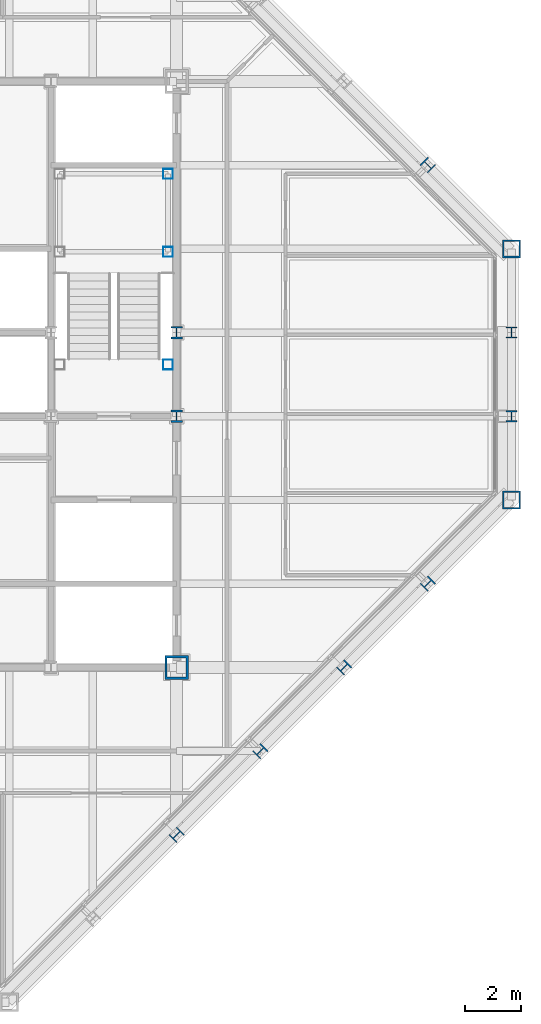
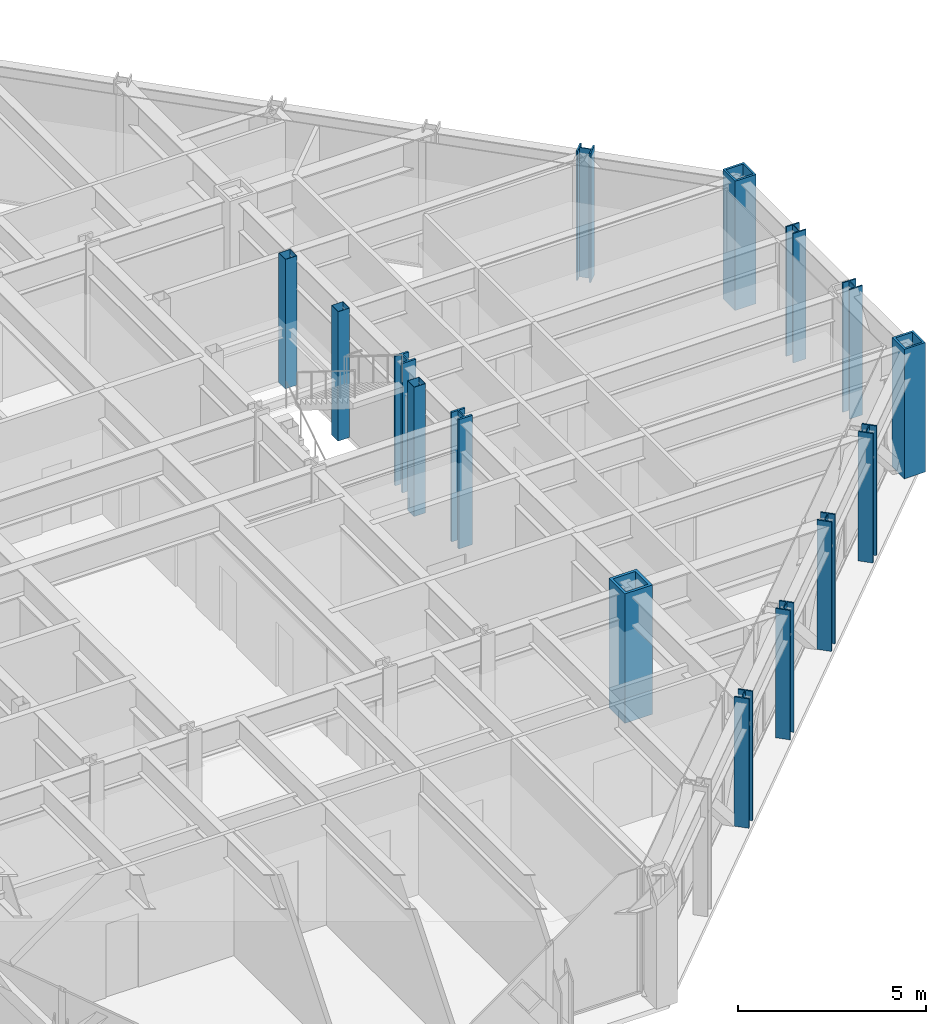
# One storey, part 3 of 15: 15 columns.
"""IFC4 building model written with IfcOpenShell, lengths in metres."""

from ifc_helpers import new_model, si_unit, direction, frame, origin, origin_2d, place, context, subcontext, project, spatial, hollow_rectangle, i_section, extrude, material, material_profile, profile_set, type_object, element, save


model = new_model("IFC4")

# Units and contexts
model_context = context("Model", 3, precision=1e-05, world=origin(), true_north=direction((0.0, 1.0)))
body_context = subcontext(model_context, "Body", "Model", "MODEL_VIEW")
ifc_project = project(units=[si_unit("LENGTHUNIT", "METRE"), si_unit("AREAUNIT", "SQUARE_METRE"), si_unit("VOLUMEUNIT", "CUBIC_METRE"), si_unit("PLANEANGLEUNIT", "RADIAN"), si_unit("MASSUNIT", "GRAM", prefix="KILO")], contexts=[model_context])

# Site, building, storey
site_placement = place(None, origin())
site = spatial("IfcSite", under=ifc_project, at=site_placement, CompositionType="ELEMENT")
building_placement = place(site_placement, origin())
building = spatial("IfcBuilding", under=site, at=building_placement, Name="Chuquiago Exchange Tower", CompositionType="ELEMENT")
storey_placement = place(building_placement, frame((0.0, 0.0, 295.800048828125)))
storey = spatial("IfcBuildingStorey", under=building, at=storey_placement, Name="L66", CompositionType="ELEMENT", Elevation=295.800048828125)

# Columns
ifc_material_1 = material(Name="Steel ASTM A992", Category="steel")
ifc_material_profile_1 = material_profile(ifc_material_1, i_section(OverallWidth=0.4013671875, OverallDepth=0.398681640625, WebThickness=0.02490234375, FlangeThickness=0.03955078125, at=origin_2d()), Name="W14X211")
ifc_profile_set_1 = profile_set([ifc_material_profile_1], Name="Steel ASTM A992")
column_type_1 = type_object("IfcColumnType", Name="C9 W14X211", PredefinedType="COLUMN", material=ifc_profile_set_1)
for number, where, z_axis, x_axis, name in (
    (1, (45.0, 21.0, 0.0), (0.0, 0.0, 1.0), (1.0, 0.0, 0.0), "COL-L66-45_21"),
    (2, (45.0, 24.0, 0.0), (0.0, 0.0, 1.0), (1.0, 0.0, 0.0), "COL-L66-45_24"),
):
    element("IfcColumn", number, at=place(storey_placement, frame(where, z_axis=z_axis, x_axis=x_axis)), inside=storey, type_object=column_type_1, Name=name, PredefinedType="COLUMN", context=body_context, shape_type="SweptSolid", body=[
        extrude(i_section(OverallWidth=0.4013671875, OverallDepth=0.398681640625, WebThickness=0.02490234375, FlangeThickness=0.03955078125, at=origin_2d()), origin(), (0.0, 0.0, 1.0), 4.199951171875),
    ])
ifc_material_2 = material(Name="Steel ASTM A572 Grade 50", Category="steel")
ifc_material_profile_2 = material_profile(ifc_material_2, hollow_rectangle(XDim=0.85009765625, YDim=0.85009765625, WallThickness=0.0849609375, at=origin_2d()), Name="BOX850X850X85")
ifc_profile_set_2 = profile_set([ifc_material_profile_2], Name="Steel ASTM A572 Grade 50")
column_type_2 = type_object("IfcColumnType", Name="CC6 BOX850X850X85", PredefinedType="COLUMN", material=ifc_profile_set_2)
column_placement = place(storey_placement, frame((33.0, 12.0, 0.0), z_axis=(0.0, 0.0, 1.0), x_axis=(1.0, 0.0, 0.0)))
element("IfcColumn", 3, at=column_placement, inside=storey, type_object=column_type_2, Name="CCOL-L66-33_12", PredefinedType="COLUMN", context=body_context, shape_type="SweptSolid", body=[
    extrude(hollow_rectangle(XDim=0.85009765625, YDim=0.85009765625, WallThickness=0.0849609375, at=origin_2d()), origin(), (0.0, 0.0, 1.0), 4.199951171875),
])
ifc_material_3 = material(Name="Steel ASTM A992", Category="steel")
ifc_material_profile_3 = material_profile(ifc_material_3, i_section(OverallWidth=0.41650390625, OverallDepth=0.444580078125, WebThickness=0.0390625, FlangeThickness=0.062744140625, at=origin_2d()), Name="W14X342")
ifc_profile_set_3 = profile_set([ifc_material_profile_3], Name="Steel ASTM A992")
column_type_3 = type_object("IfcColumnType", Name="CC9 W14X342", PredefinedType="COLUMN", material=ifc_profile_set_3)
for number, where, z_axis, x_axis, name in (
    (4, (33.0, 21.0, 0.0), (0.0, 0.0, 1.0), (1.0, 0.0, 0.0), "CCOL-L66-33_21"),
    (5, (33.0, 24.0, 0.0), (0.0, 0.0, 1.0), (1.0, 0.0, 0.0), "CCOL-L66-33_24"),
):
    element("IfcColumn", number, at=place(storey_placement, frame(where, z_axis=z_axis, x_axis=x_axis)), inside=storey, type_object=column_type_3, Name=name, PredefinedType="COLUMN", context=body_context, shape_type="SweptSolid", body=[
        extrude(i_section(OverallWidth=0.41650390625, OverallDepth=0.444580078125, WebThickness=0.0390625, FlangeThickness=0.062744140625, at=origin_2d()), origin(), (0.0, 0.0, 1.0), 4.199951171875),
    ])
ifc_material_4 = material(Name="Steel ASTM A992", Category="steel")
ifc_material_profile_4 = material_profile(ifc_material_4, i_section(OverallWidth=0.40380859375, OverallDepth=0.406494140625, WebThickness=0.027099609375, FlangeThickness=0.043701171875, at=origin_2d()), Name="W14X233")
ifc_profile_set_4 = profile_set([ifc_material_profile_4], Name="Steel ASTM A992")
column_type_4 = type_object("IfcColumnType", Name="CK8 W14X233", PredefinedType="COLUMN", material=ifc_profile_set_4)
for number, where, z_axis, x_axis, name in (
    (6, (33.0, 6.0, 0.0), (0.0, 0.0, 1.0), (0.707106781187, -0.707106781187, 0.0), "COL-L66-33_6"),
    (7, (36.0, 9.0, 0.0), (0.0, 0.0, 1.0), (0.707106781187, -0.707106781187, 0.0), "COL-L66-36_9"),
    (8, (39.0, 12.0, 0.0), (0.0, 0.0, 1.0), (0.707106781187, -0.707106781187, 0.0), "COL-L66-39_12"),
    (9, (42.0, 15.0, 0.0), (0.0, 0.0, 1.0), (0.707106781187, -0.707106781187, 0.0), "COL-L66-42_15"),
    (10, (42.0, 30.0, 0.0), (0.0, 0.0, 1.0), (0.707106781187, 0.707106781187, 0.0), "COL-L66-42_30"),
):
    element("IfcColumn", number, at=place(storey_placement, frame(where, z_axis=z_axis, x_axis=x_axis)), inside=storey, type_object=column_type_4, Name=name, PredefinedType="COLUMN", context=body_context, shape_type="SweptSolid", body=[
        extrude(i_section(OverallWidth=0.40380859375, OverallDepth=0.406494140625, WebThickness=0.027099609375, FlangeThickness=0.043701171875, at=origin_2d()), origin(), (0.0, 0.0, 1.0), 4.199951171875),
    ])
ifc_material_5 = material(Name="Steel ASTM A572 Grade 50", Category="steel")
ifc_material_profile_5 = material_profile(ifc_material_5, hollow_rectangle(XDim=0.64990234375, YDim=0.64990234375, WallThickness=0.06494140625, at=origin_2d()), Name="BOX650X650X65")
ifc_profile_set_5 = profile_set([ifc_material_profile_5], Name="Steel ASTM A572 Grade 50")
column_type_5 = type_object("IfcColumnType", Name="CN2 BOX650X650X65", PredefinedType="COLUMN", material=ifc_profile_set_5)
for number, where, z_axis, x_axis, name in (
    (11, (45.0, 18.0, 0.0), (0.0, 0.0, 1.0), (1.0, 0.0, 0.0), "COL-L66-45_18"),
    (12, (45.0, 27.0, 0.0), (0.0, 0.0, 1.0), (1.0, 0.0, 0.0), "COL-L66-45_27"),
):
    element("IfcColumn", number, at=place(storey_placement, frame(where, z_axis=z_axis, x_axis=x_axis)), inside=storey, type_object=column_type_5, Name=name, PredefinedType="COLUMN", context=body_context, shape_type="SweptSolid", body=[
        extrude(hollow_rectangle(XDim=0.64990234375, YDim=0.64990234375, WallThickness=0.06494140625, at=origin_2d()), origin(), (0.0, 0.0, 1.0), 4.199951171875),
    ])
ifc_material_6 = material(Name="Steel ASTM A500 Grade C", Category="steel")
ifc_material_profile_6 = material_profile(ifc_material_6, hollow_rectangle(XDim=0.355712890625, YDim=0.355712890625, WallThickness=0.0087890625, at=origin_2d()), Name="HSS14X14X3/8")
ifc_profile_set_6 = profile_set([ifc_material_profile_6], Name="Steel ASTM A500 Grade C")
column_type_6 = type_object("IfcColumnType", Name="PT1 HSS14X14X3/8", PredefinedType="COLUMN", material=ifc_profile_set_6)
for number, where, z_axis, x_axis, name in (
    (13, (32.68994140625, 29.68994140625, 0.0), (0.0, 0.0, 1.0), (1.0, 0.0, 0.0), "Stair ST2 L66 landing post"),
    (14, (32.68994140625, 26.889892578125, 0.0), (0.0, 0.0, 1.0), (1.0, 0.0, 0.0), "Stair ST2 L66 landing post"),
    (15, (32.68994140625, 22.85009765625, 0.0), (0.0, 0.0, 1.0), (1.0, 0.0, 0.0), "Stair ST2 L66 landing post"),
):
    element("IfcColumn", number, at=place(storey_placement, frame(where, z_axis=z_axis, x_axis=x_axis)), inside=storey, type_object=column_type_6, Name=name, PredefinedType="COLUMN", context=body_context, shape_type="SweptSolid", body=[
        extrude(hollow_rectangle(XDim=0.355712890625, YDim=0.355712890625, WallThickness=0.0087890625, at=origin_2d()), origin(), (0.0, 0.0, 1.0), 4.199951171875),
    ])

save(model, "model.ifc")
